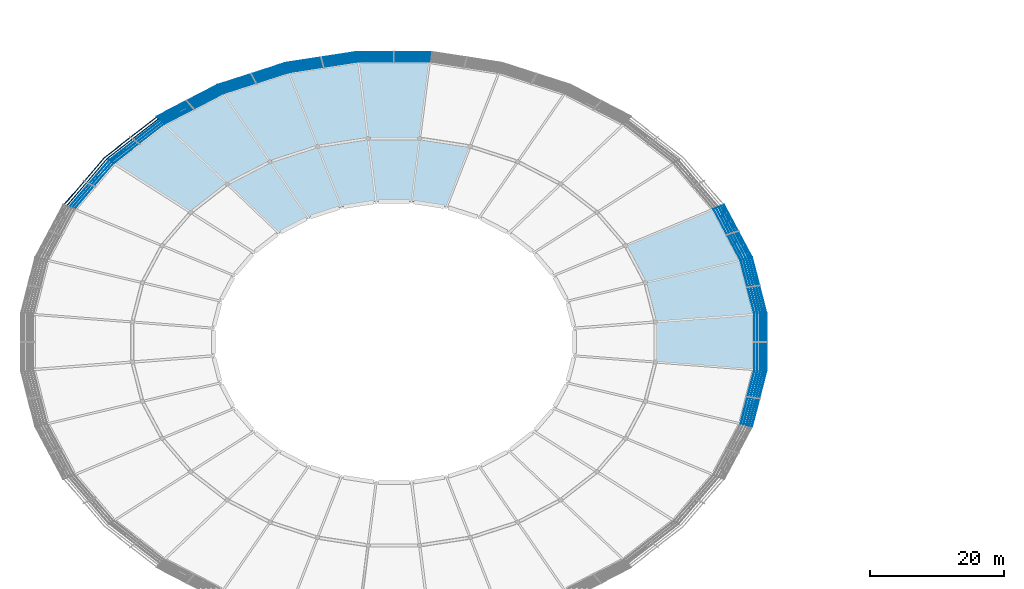
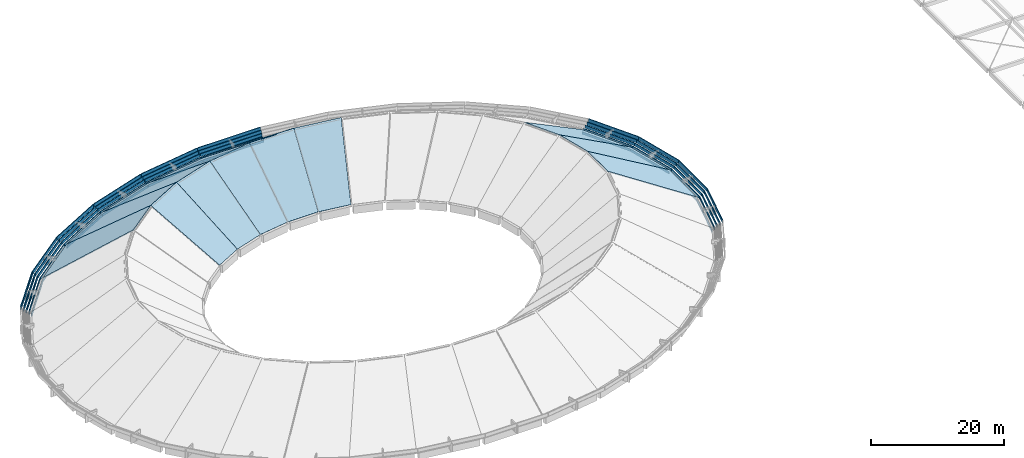
# One storey, part 7 of 15: 50 plates, 13 slabs.
"""IFC4 building model written with IfcOpenShell, lengths in metres."""

from ifc_helpers import new_model, si_unit, direction, frame, origin, origin_2d, place, context, subcontext, project, spatial, polyline, rectangle, outline, extrude, material, layer, layer_set, type_object, element, save


model = new_model("IFC4")

# Units and contexts
model_context = context("Model", 3, precision=1e-05, world=origin(), true_north=direction((0.0, 1.0)))
body_context = subcontext(model_context, "Body", "Model", "MODEL_VIEW")
ifc_project = project(units=[si_unit("LENGTHUNIT", "METRE"), si_unit("AREAUNIT", "SQUARE_METRE"), si_unit("VOLUMEUNIT", "CUBIC_METRE"), si_unit("PLANEANGLEUNIT", "RADIAN"), si_unit("MASSUNIT", "GRAM", prefix="KILO")], contexts=[model_context])

# Site, building, storey
site_placement = place(None, origin())
site = spatial("IfcSite", under=ifc_project, at=site_placement, CompositionType="ELEMENT")
building_placement = place(site_placement, origin())
building = spatial("IfcBuilding", under=site, at=building_placement, Name="Corvandel Quay Wholesale Market", CompositionType="ELEMENT")
storey_placement = place(building_placement, frame((0.0, 0.0, 19.199951171875)))
storey = spatial("IfcBuildingStorey", under=building, at=storey_placement, Name="RF", CompositionType="ELEMENT", Elevation=19.199951171875)

# Plates
ifc_material_1 = material(Name="Architectural white precast concrete C45/55", Category="concrete")
ifc_layer_1 = layer(ifc_material_1, 0.090087890625)
ifc_layer_set_1 = layer_set([ifc_layer_1], Name="Architectural white precast concrete C45/55")
plate_type_1 = type_object("IfcPlateType", Name="Stepped White Precast Shell Fascia Band FP01", PredefinedType="SHEET", material=ifc_layer_set_1)
plate_1_placement = place(storey_placement, frame((166.96240234375, 50.194091796875, -4.8798828125), z_axis=(0.0, 0.0, 1.0), x_axis=(-0.247675453076, 0.968843057437, 0.0)))
element("IfcPlate", 1, at=plate_1_placement, inside=storey, type_object=plate_type_1, Name="Stepped Shell Rim Fascia FP-0001", PredefinedType="SHEET", context=body_context, shape_type="SweptSolid", body=[
    extrude(rectangle(XDim=8.31494140625, YDim=0.090087890625, at=origin_2d()), origin(), (0.0, 0.0, 1.0), 0.4599609375),
])
plate_2_placement = place(storey_placement, frame((163.889404296875, 58.072509765625, -4.8798828125), z_axis=(0.0, 0.0, 1.0), x_axis=(-0.470087862033, 0.882619624736, 0.0)))
element("IfcPlate", 2, at=plate_2_placement, inside=storey, type_object=plate_type_1, Name="Stepped Shell Rim Fascia FP-0002", PredefinedType="SHEET", context=body_context, shape_type="SweptSolid", body=[
    extrude(rectangle(XDim=8.60009765625, YDim=0.090087890625, at=origin_2d()), origin(), (0.0, 0.0, 1.0), 0.4599609375),
])
plate_3_placement = place(storey_placement, frame((114.0, 84.0, -4.8798828125), z_axis=(0.0, 0.0, 1.0), x_axis=(1.0, 0.0, 0.0)))
element("IfcPlate", 3, at=plate_3_placement, inside=storey, type_object=plate_type_1, Name="Stepped Shell Rim Fascia FP-0008", PredefinedType="SHEET", context=body_context, shape_type="SweptSolid", body=[
    extrude(rectangle(XDim=10.577880859375, YDim=0.090087890625, at=origin_2d()), origin(), (0.0, 0.0, 1.0), 0.4599609375),
])
plate_4_placement = place(storey_placement, frame((103.465087890625, 83.193115234375, -4.8798828125), z_axis=(0.0, 0.0, 1.0), x_axis=(0.98825506746, 0.152813355565, 0.0)))
element("IfcPlate", 4, at=plate_4_placement, inside=storey, type_object=plate_type_1, Name="Stepped Shell Rim Fascia FP-0009", PredefinedType="SHEET", context=body_context, shape_type="SweptSolid", body=[
    extrude(rectangle(XDim=10.49609375, YDim=0.090087890625, at=origin_2d()), origin(), (0.0, 0.0, 1.0), 0.4599609375),
])
plate_5_placement = place(storey_placement, frame((93.3349609375, 80.802978515625, -4.8798828125), z_axis=(0.0, 0.0, 1.0), x_axis=(0.951808747363, 0.306692204733, 0.0)))
element("IfcPlate", 5, at=plate_5_placement, inside=storey, type_object=plate_type_1, Name="Stepped Shell Rim Fascia FP-0010", PredefinedType="SHEET", context=body_context, shape_type="SweptSolid", body=[
    extrude(rectangle(XDim=10.264892578125, YDim=0.090087890625, at=origin_2d()), origin(), (0.0, 0.0, 1.0), 0.4599609375),
])
plate_6_placement = place(storey_placement, frame((83.9990234375, 76.922119140625, -4.8798828125), z_axis=(0.0, 0.0, 1.0), x_axis=(0.887332978338, 0.461129250378, 0.0)))
element("IfcPlate", 6, at=plate_6_placement, inside=storey, type_object=plate_type_1, Name="Stepped Shell Rim Fascia FP-0011", PredefinedType="SHEET", context=body_context, shape_type="SweptSolid", body=[
    extrude(rectangle(XDim=9.906982421875, YDim=0.090087890625, at=origin_2d()), origin(), (0.0, 0.0, 1.0), 0.4599609375),
])
plate_7_placement = place(storey_placement, frame((75.81591796875, 71.698486328125, -4.8798828125), z_axis=(0.0, 0.0, 1.0), x_axis=(0.789298462742, 0.614009720373, 0.0)))
element("IfcPlate", 7, at=plate_7_placement, inside=storey, type_object=plate_type_1, Name="Stepped Shell Rim Fascia FP-0012", PredefinedType="SHEET", context=body_context, shape_type="SweptSolid", body=[
    extrude(rectangle(XDim=9.469970703125, YDim=0.090087890625, at=origin_2d()), origin(), (0.0, 0.0, 1.0), 0.4599609375),
])
plate_8_placement = place(storey_placement, frame((69.1005859375, 65.33349609375, -4.8798828125), z_axis=(0.0, 0.0, 1.0), x_axis=(0.651568967347, 0.758589401976, 0.0)))
element("IfcPlate", 8, at=plate_8_placement, inside=storey, type_object=plate_type_1, Name="Stepped Shell Rim Fascia FP-0013", PredefinedType="SHEET", context=body_context, shape_type="SweptSolid", body=[
    extrude(rectangle(XDim=9.008056640625, YDim=0.090087890625, at=origin_2d()), origin(), (0.0, 0.0, 1.0), 0.4599609375),
])
plate_9_placement = place(storey_placement, frame((166.96240234375, 33.805908203125, -4.8798828125), z_axis=(0.0, 0.0, 1.0), x_axis=(0.247675453076, 0.968843057437, 0.0)))
element("IfcPlate", 9, at=plate_9_placement, inside=storey, type_object=plate_type_1, Name="Stepped Shell Rim Fascia FP-0031", PredefinedType="SHEET", context=body_context, shape_type="SweptSolid", body=[
    extrude(rectangle(XDim=8.31494140625, YDim=0.090087890625, at=origin_2d()), origin(), (0.0, 0.0, 1.0), 0.4599609375),
])
plate_10_placement = place(storey_placement, frame((168.0, 42.0, -4.8798828125), z_axis=(0.0, 0.0, 1.0), x_axis=(0.0, 1.0, 0.0)))
element("IfcPlate", 10, at=plate_10_placement, inside=storey, type_object=plate_type_1, Name="Stepped Shell Rim Fascia FP-0032", PredefinedType="SHEET", context=body_context, shape_type="SweptSolid", body=[
    extrude(rectangle(XDim=8.214111328125, YDim=0.090087890625, at=origin_2d()), origin(), (0.0, 0.0, 1.0), 0.4599609375),
])
ifc_layer_2 = layer(ifc_material_1, 0.10009765625)
ifc_layer_set_2 = layer_set([ifc_layer_2], Name="Architectural white precast concrete C45/55")
plate_type_2 = type_object("IfcPlateType", Name="Stepped White Precast Shell Fascia Band FP02", PredefinedType="SHEET", material=ifc_layer_set_2)
plate_11_placement = place(storey_placement, frame((167.385986328125, 50.259521484375, -4.56005859375), z_axis=(0.0, 0.0, 1.0), x_axis=(-0.247844544316, 0.968799815159, 0.0)))
element("IfcPlate", 11, at=plate_11_placement, inside=storey, type_object=plate_type_2, Name="Stepped Shell Rim Fascia FP-0033", PredefinedType="SHEET", context=body_context, shape_type="SweptSolid", body=[
    extrude(rectangle(XDim=8.382080078125, YDim=0.10009765625, at=origin_2d()), origin(), (0.0, 0.0, 1.0), 0.5),
])
plate_12_placement = place(storey_placement, frame((164.28857421875, 58.201416015625, -4.56005859375), z_axis=(0.0, 0.0, 1.0), x_axis=(-0.470087862033, 0.882619624736, 0.0)))
element("IfcPlate", 12, at=plate_12_placement, inside=storey, type_object=plate_type_2, Name="Stepped Shell Rim Fascia FP-0034", PredefinedType="SHEET", context=body_context, shape_type="SweptSolid", body=[
    extrude(rectangle(XDim=8.6689453125, YDim=0.10009765625, at=origin_2d()), origin(), (0.0, 0.0, 1.0), 0.5),
])
plate_13_placement = place(storey_placement, frame((114.0, 84.3359375, -4.56005859375), z_axis=(0.0, 0.0, 1.0), x_axis=(1.0, 0.0, 0.0)))
element("IfcPlate", 13, at=plate_13_placement, inside=storey, type_object=plate_type_2, Name="Stepped Shell Rim Fascia FP-0040", PredefinedType="SHEET", context=body_context, shape_type="SweptSolid", body=[
    extrude(rectangle(XDim=10.662109375, YDim=0.10009765625, at=origin_2d()), origin(), (0.0, 0.0, 1.0), 0.5),
])
plate_14_placement = place(storey_placement, frame((103.381103515625, 83.5224609375, -4.56005859375), z_axis=(0.0, 0.0, 1.0), x_axis=(0.98825506746, 0.152813355565, 0.0)))
element("IfcPlate", 14, at=plate_14_placement, inside=storey, type_object=plate_type_2, Name="Stepped Shell Rim Fascia FP-0041", PredefinedType="SHEET", context=body_context, shape_type="SweptSolid", body=[
    extrude(rectangle(XDim=10.5810546875, YDim=0.10009765625, at=origin_2d()), origin(), (0.0, 0.0, 1.0), 0.5),
])
plate_15_placement = place(storey_placement, frame((93.169921875, 81.113525390625, -4.56005859375), z_axis=(0.0, 0.0, 1.0), x_axis=(0.951808747363, 0.306692204733, 0.0)))
element("IfcPlate", 15, at=plate_15_placement, inside=storey, type_object=plate_type_2, Name="Stepped Shell Rim Fascia FP-0042", PredefinedType="SHEET", context=body_context, shape_type="SweptSolid", body=[
    extrude(rectangle(XDim=10.346923828125, YDim=0.10009765625, at=origin_2d()), origin(), (0.0, 0.0, 1.0), 0.5),
])
plate_16_placement = place(storey_placement, frame((83.759521484375, 77.201416015625, -4.56005859375), z_axis=(0.0, 0.0, 1.0), x_axis=(0.887332978338, 0.461129250378, 0.0)))
element("IfcPlate", 16, at=plate_16_placement, inside=storey, type_object=plate_type_2, Name="Stepped Shell Rim Fascia FP-0043", PredefinedType="SHEET", context=body_context, shape_type="SweptSolid", body=[
    extrude(rectangle(XDim=9.987060546875, YDim=0.10009765625, at=origin_2d()), origin(), (0.0, 0.0, 1.0), 0.5),
])
plate_17_placement = place(storey_placement, frame((75.510986328125, 71.9365234375, -4.56005859375), z_axis=(0.0, 0.0, 1.0), x_axis=(0.789405615633, 0.613871952452, 0.0)))
element("IfcPlate", 17, at=plate_17_placement, inside=storey, type_object=plate_type_2, Name="Stepped Shell Rim Fascia FP-0044", PredefinedType="SHEET", context=body_context, shape_type="SweptSolid", body=[
    extrude(rectangle(XDim=9.544921875, YDim=0.10009765625, at=origin_2d()), origin(), (0.0, 0.0, 1.0), 0.5),
])
plate_18_placement = place(storey_placement, frame((68.741455078125, 65.52099609375, -4.56005859375), z_axis=(0.0, 0.0, 1.0), x_axis=(0.65170135625, 0.758475670184, 0.0)))
element("IfcPlate", 18, at=plate_18_placement, inside=storey, type_object=plate_type_2, Name="Stepped Shell Rim Fascia FP-0045", PredefinedType="SHEET", context=body_context, shape_type="SweptSolid", body=[
    extrude(rectangle(XDim=9.0810546875, YDim=0.10009765625, at=origin_2d()), origin(), (0.0, 0.0, 1.0), 0.5),
])
plate_19_placement = place(storey_placement, frame((167.385986328125, 33.740478515625, -4.56005859375), z_axis=(0.0, 0.0, 1.0), x_axis=(0.247844544316, 0.968799815159, 0.0)))
element("IfcPlate", 19, at=plate_19_placement, inside=storey, type_object=plate_type_2, Name="Stepped Shell Rim Fascia FP-0063", PredefinedType="SHEET", context=body_context, shape_type="SweptSolid", body=[
    extrude(rectangle(XDim=8.382080078125, YDim=0.10009765625, at=origin_2d()), origin(), (0.0, 0.0, 1.0), 0.5),
])
plate_20_placement = place(storey_placement, frame((168.431884765625, 42.0, -4.56005859375), z_axis=(0.0, 0.0, 1.0), x_axis=(0.0, 1.0, 0.0)))
element("IfcPlate", 20, at=plate_20_placement, inside=storey, type_object=plate_type_2, Name="Stepped Shell Rim Fascia FP-0064", PredefinedType="SHEET", context=body_context, shape_type="SweptSolid", body=[
    extrude(rectangle(XDim=8.280029296875, YDim=0.10009765625, at=origin_2d()), origin(), (0.0, 0.0, 1.0), 0.5),
])
ifc_layer_3 = layer(ifc_material_1, 0.110107421875)
ifc_layer_set_3 = layer_set([ifc_layer_3], Name="Architectural white precast concrete C45/55")
plate_type_3 = type_object("IfcPlateType", Name="Stepped White Precast Shell Fascia Band FP03", PredefinedType="SHEET", material=ifc_layer_set_3)
plate_21_placement = place(storey_placement, frame((167.81005859375, 50.324951171875, -4.239990234375), z_axis=(0.0, 0.0, 1.0), x_axis=(-0.247675453076, 0.968843057437, 0.0)))
element("IfcPlate", 21, at=plate_21_placement, inside=storey, type_object=plate_type_3, Name="Stepped Shell Rim Fascia FP-0065", PredefinedType="SHEET", context=body_context, shape_type="SweptSolid", body=[
    extrude(rectangle(XDim=8.448974609375, YDim=0.110107421875, at=origin_2d()), origin(), (0.0, 0.0, 1.0), 0.5400390625),
])
plate_22_placement = place(storey_placement, frame((164.68798828125, 58.330078125, -4.239990234375), z_axis=(0.0, 0.0, 1.0), x_axis=(-0.470087862033, 0.882619624736, 0.0)))
element("IfcPlate", 22, at=plate_22_placement, inside=storey, type_object=plate_type_3, Name="Stepped Shell Rim Fascia FP-0066", PredefinedType="SHEET", context=body_context, shape_type="SweptSolid", body=[
    extrude(rectangle(XDim=8.739013671875, YDim=0.110107421875, at=origin_2d()), origin(), (0.0, 0.0, 1.0), 0.5400390625),
])
plate_23_placement = place(storey_placement, frame((114.0, 84.672119140625, -4.239990234375), z_axis=(0.0, 0.0, 1.0), x_axis=(1.0, 0.0, 0.0)))
element("IfcPlate", 23, at=plate_23_placement, inside=storey, type_object=plate_type_3, Name="Stepped Shell Rim Fascia FP-0072", PredefinedType="SHEET", context=body_context, shape_type="SweptSolid", body=[
    extrude(rectangle(XDim=10.748046875, YDim=0.110107421875, at=origin_2d()), origin(), (0.0, 0.0, 1.0), 0.5400390625),
])
plate_24_placement = place(storey_placement, frame((103.29638671875, 83.85205078125, -4.239990234375), z_axis=(0.0, 0.0, 1.0), x_axis=(0.988228381447, 0.152985836284, 0.0)))
element("IfcPlate", 24, at=plate_24_placement, inside=storey, type_object=plate_type_3, Name="Stepped Shell Rim Fascia FP-0073", PredefinedType="SHEET", context=body_context, shape_type="SweptSolid", body=[
    extrude(rectangle(XDim=10.6650390625, YDim=0.110107421875, at=origin_2d()), origin(), (0.0, 0.0, 1.0), 0.5400390625),
])
plate_25_placement = place(storey_placement, frame((93.00439453125, 81.423583984375, -4.239990234375), z_axis=(0.0, 0.0, 1.0), x_axis=(0.951808747363, 0.306692204733, 0.0)))
element("IfcPlate", 25, at=plate_25_placement, inside=storey, type_object=plate_type_3, Name="Stepped Shell Rim Fascia FP-0074", PredefinedType="SHEET", context=body_context, shape_type="SweptSolid", body=[
    extrude(rectangle(XDim=10.429931640625, YDim=0.110107421875, at=origin_2d()), origin(), (0.0, 0.0, 1.0), 0.5400390625),
])
plate_26_placement = place(storey_placement, frame((83.51904296875, 77.48046875, -4.239990234375), z_axis=(0.0, 0.0, 1.0), x_axis=(0.887332978338, 0.461129250378, 0.0)))
element("IfcPlate", 26, at=plate_26_placement, inside=storey, type_object=plate_type_3, Name="Stepped Shell Rim Fascia FP-0075", PredefinedType="SHEET", context=body_context, shape_type="SweptSolid", body=[
    extrude(rectangle(XDim=10.06689453125, YDim=0.110107421875, at=origin_2d()), origin(), (0.0, 0.0, 1.0), 0.5400390625),
])
plate_27_placement = place(storey_placement, frame((75.205078125, 72.174072265625, -4.239990234375), z_axis=(0.0, 0.0, 1.0), x_axis=(0.789298462742, 0.614009720373, 0.0)))
element("IfcPlate", 27, at=plate_27_placement, inside=storey, type_object=plate_type_3, Name="Stepped Shell Rim Fascia FP-0076", PredefinedType="SHEET", context=body_context, shape_type="SweptSolid", body=[
    extrude(rectangle(XDim=9.62109375, YDim=0.110107421875, at=origin_2d()), origin(), (0.0, 0.0, 1.0), 0.5400390625),
])
plate_28_placement = place(storey_placement, frame((68.382080078125, 65.70751953125, -4.239990234375), z_axis=(0.0, 0.0, 1.0), x_axis=(0.651568967347, 0.758589401976, 0.0)))
element("IfcPlate", 28, at=plate_28_placement, inside=storey, type_object=plate_type_3, Name="Stepped Shell Rim Fascia FP-0077", PredefinedType="SHEET", context=body_context, shape_type="SweptSolid", body=[
    extrude(rectangle(XDim=9.154052734375, YDim=0.110107421875, at=origin_2d()), origin(), (0.0, 0.0, 1.0), 0.5400390625),
])
plate_29_placement = place(storey_placement, frame((167.81005859375, 33.675048828125, -4.239990234375), z_axis=(0.0, 0.0, 1.0), x_axis=(0.247675453076, 0.968843057437, 0.0)))
element("IfcPlate", 29, at=plate_29_placement, inside=storey, type_object=plate_type_3, Name="Stepped Shell Rim Fascia FP-0095", PredefinedType="SHEET", context=body_context, shape_type="SweptSolid", body=[
    extrude(rectangle(XDim=8.448974609375, YDim=0.110107421875, at=origin_2d()), origin(), (0.0, 0.0, 1.0), 0.5400390625),
])
plate_30_placement = place(storey_placement, frame((168.864013671875, 42.0, -4.239990234375), z_axis=(0.0, 0.0, 1.0), x_axis=(0.0, 1.0, 0.0)))
element("IfcPlate", 30, at=plate_30_placement, inside=storey, type_object=plate_type_3, Name="Stepped Shell Rim Fascia FP-0096", PredefinedType="SHEET", context=body_context, shape_type="SweptSolid", body=[
    extrude(rectangle(XDim=8.345947265625, YDim=0.110107421875, at=origin_2d()), origin(), (0.0, 0.0, 1.0), 0.5400390625),
])
ifc_layer_4 = layer(ifc_material_1, 0.1201171875)
ifc_layer_set_4 = layer_set([ifc_layer_4], Name="Architectural white precast concrete C45/55")
plate_type_4 = type_object("IfcPlateType", Name="Stepped White Precast Shell Fascia Band FP04", PredefinedType="SHEET", material=ifc_layer_set_4)
plate_31_placement = place(storey_placement, frame((168.2333984375, 50.390380859375, -3.919921875), z_axis=(0.0, 0.0, 1.0), x_axis=(-0.247844544316, 0.968799815159, 0.0)))
element("IfcPlate", 31, at=plate_31_placement, inside=storey, type_object=plate_type_4, Name="Stepped Shell Rim Fascia FP-0097", PredefinedType="SHEET", context=body_context, shape_type="SweptSolid", body=[
    extrude(rectangle(XDim=8.51611328125, YDim=0.1201171875, at=origin_2d()), origin(), (0.0, 0.0, 1.0), 0.580078125),
])
plate_32_placement = place(storey_placement, frame((165.0869140625, 58.45849609375, -3.919921875), z_axis=(0.0, 0.0, 1.0), x_axis=(-0.470087862033, 0.882619624736, 0.0)))
element("IfcPlate", 32, at=plate_32_placement, inside=storey, type_object=plate_type_4, Name="Stepped Shell Rim Fascia FP-0098", PredefinedType="SHEET", context=body_context, shape_type="SweptSolid", body=[
    extrude(rectangle(XDim=8.80810546875, YDim=0.1201171875, at=origin_2d()), origin(), (0.0, 0.0, 1.0), 0.580078125),
])
plate_33_placement = place(storey_placement, frame((114.0, 85.008056640625, -3.919921875), z_axis=(0.0, 0.0, 1.0), x_axis=(1.0, 0.0, 0.0)))
element("IfcPlate", 33, at=plate_33_placement, inside=storey, type_object=plate_type_4, Name="Stepped Shell Rim Fascia FP-0104", PredefinedType="SHEET", context=body_context, shape_type="SweptSolid", body=[
    extrude(rectangle(XDim=10.83203125, YDim=0.1201171875, at=origin_2d()), origin(), (0.0, 0.0, 1.0), 0.580078125),
])
plate_34_placement = place(storey_placement, frame((103.21240234375, 84.181396484375, -3.919921875), z_axis=(0.0, 0.0, 1.0), x_axis=(0.988228381447, 0.152985836284, 0.0)))
element("IfcPlate", 34, at=plate_34_placement, inside=storey, type_object=plate_type_4, Name="Stepped Shell Rim Fascia FP-0105", PredefinedType="SHEET", context=body_context, shape_type="SweptSolid", body=[
    extrude(rectangle(XDim=10.75, YDim=0.1201171875, at=origin_2d()), origin(), (0.0, 0.0, 1.0), 0.580078125),
])
plate_35_placement = place(storey_placement, frame((92.839599609375, 81.73388671875, -3.919921875), z_axis=(0.0, 0.0, 1.0), x_axis=(0.951808747363, 0.306692204733, 0.0)))
element("IfcPlate", 35, at=plate_35_placement, inside=storey, type_object=plate_type_4, Name="Stepped Shell Rim Fascia FP-0106", PredefinedType="SHEET", context=body_context, shape_type="SweptSolid", body=[
    extrude(rectangle(XDim=10.511962890625, YDim=0.1201171875, at=origin_2d()), origin(), (0.0, 0.0, 1.0), 0.580078125),
])
plate_36_placement = place(storey_placement, frame((83.279541015625, 77.759521484375, -3.919921875), z_axis=(0.0, 0.0, 1.0), x_axis=(0.887332978338, 0.461129250378, 0.0)))
element("IfcPlate", 36, at=plate_36_placement, inside=storey, type_object=plate_type_4, Name="Stepped Shell Rim Fascia FP-0107", PredefinedType="SHEET", context=body_context, shape_type="SweptSolid", body=[
    extrude(rectangle(XDim=10.14697265625, YDim=0.1201171875, at=origin_2d()), origin(), (0.0, 0.0, 1.0), 0.580078125),
])
plate_37_placement = place(storey_placement, frame((74.89990234375, 72.410888671875, -3.919921875), z_axis=(0.0, 0.0, 1.0), x_axis=(0.789405615633, 0.613871952452, 0.0)))
element("IfcPlate", 37, at=plate_37_placement, inside=storey, type_object=plate_type_4, Name="Stepped Shell Rim Fascia FP-0108", PredefinedType="SHEET", context=body_context, shape_type="SweptSolid", body=[
    extrude(rectangle(XDim=9.697021484375, YDim=0.1201171875, at=origin_2d()), origin(), (0.0, 0.0, 1.0), 0.580078125),
])
plate_38_placement = place(storey_placement, frame((68.02294921875, 65.89404296875, -3.919921875), z_axis=(0.0, 0.0, 1.0), x_axis=(0.65170135625, 0.758475670184, 0.0)))
element("IfcPlate", 38, at=plate_38_placement, inside=storey, type_object=plate_type_4, Name="Stepped Shell Rim Fascia FP-0109", PredefinedType="SHEET", context=body_context, shape_type="SweptSolid", body=[
    extrude(rectangle(XDim=9.22705078125, YDim=0.1201171875, at=origin_2d()), origin(), (0.0, 0.0, 1.0), 0.580078125),
])
plate_39_placement = place(storey_placement, frame((168.2333984375, 33.609619140625, -3.919921875), z_axis=(0.0, 0.0, 1.0), x_axis=(0.247844544316, 0.968799815159, 0.0)))
element("IfcPlate", 39, at=plate_39_placement, inside=storey, type_object=plate_type_4, Name="Stepped Shell Rim Fascia FP-0127", PredefinedType="SHEET", context=body_context, shape_type="SweptSolid", body=[
    extrude(rectangle(XDim=8.51611328125, YDim=0.1201171875, at=origin_2d()), origin(), (0.0, 0.0, 1.0), 0.580078125),
])
plate_40_placement = place(storey_placement, frame((169.2958984375, 42.0, -3.919921875), z_axis=(0.0, 0.0, 1.0), x_axis=(0.0, 1.0, 0.0)))
element("IfcPlate", 40, at=plate_40_placement, inside=storey, type_object=plate_type_4, Name="Stepped Shell Rim Fascia FP-0128", PredefinedType="SHEET", context=body_context, shape_type="SweptSolid", body=[
    extrude(rectangle(XDim=8.412109375, YDim=0.1201171875, at=origin_2d()), origin(), (0.0, 0.0, 1.0), 0.580078125),
])
ifc_layer_5 = layer(ifc_material_1, 0.1298828125)
ifc_layer_set_5 = layer_set([ifc_layer_5], Name="Architectural white precast concrete C45/55")
plate_type_5 = type_object("IfcPlateType", Name="Stepped White Precast Shell Fascia Band FP05", PredefinedType="SHEET", material=ifc_layer_set_5)
plate_41_placement = place(storey_placement, frame((168.656982421875, 50.4560546875, -3.60009765625), z_axis=(0.0, 0.0, 1.0), x_axis=(-0.247844544316, 0.968799815159, 0.0)))
element("IfcPlate", 41, at=plate_41_placement, inside=storey, type_object=plate_type_5, Name="Stepped Shell Rim Fascia FP-0129", PredefinedType="SHEET", context=body_context, shape_type="SweptSolid", body=[
    extrude(rectangle(XDim=8.583984375, YDim=0.1298828125, at=origin_2d()), origin(), (0.0, 0.0, 1.0), 0.6201171875),
])
plate_42_placement = place(storey_placement, frame((165.486083984375, 58.5869140625, -3.60009765625), z_axis=(0.0, 0.0, 1.0), x_axis=(-0.469933808689, 0.882701657102, 0.0)))
element("IfcPlate", 42, at=plate_42_placement, inside=storey, type_object=plate_type_5, Name="Stepped Shell Rim Fascia FP-0130", PredefinedType="SHEET", context=body_context, shape_type="SweptSolid", body=[
    extrude(rectangle(XDim=8.8759765625, YDim=0.1298828125, at=origin_2d()), origin(), (0.0, 0.0, 1.0), 0.6201171875),
])
plate_43_placement = place(storey_placement, frame((114.0, 85.343994140625, -3.60009765625), z_axis=(0.0, 0.0, 1.0), x_axis=(1.0, 0.0, 0.0)))
element("IfcPlate", 43, at=plate_43_placement, inside=storey, type_object=plate_type_5, Name="Stepped Shell Rim Fascia FP-0136", PredefinedType="SHEET", context=body_context, shape_type="SweptSolid", body=[
    extrude(rectangle(XDim=10.91796875, YDim=0.1298828125, at=origin_2d()), origin(), (0.0, 0.0, 1.0), 0.6201171875),
])
plate_44_placement = place(storey_placement, frame((103.1279296875, 84.510986328125, -3.60009765625), z_axis=(0.0, 0.0, 1.0), x_axis=(0.988228381447, 0.152985836284, 0.0)))
element("IfcPlate", 44, at=plate_44_placement, inside=storey, type_object=plate_type_5, Name="Stepped Shell Rim Fascia FP-0137", PredefinedType="SHEET", context=body_context, shape_type="SweptSolid", body=[
    extrude(rectangle(XDim=10.833984375, YDim=0.1298828125, at=origin_2d()), origin(), (0.0, 0.0, 1.0), 0.6201171875),
])
plate_45_placement = place(storey_placement, frame((92.674072265625, 82.04443359375, -3.60009765625), z_axis=(0.0, 0.0, 1.0), x_axis=(0.951808747363, 0.306692204733, 0.0)))
element("IfcPlate", 45, at=plate_45_placement, inside=storey, type_object=plate_type_5, Name="Stepped Shell Rim Fascia FP-0138", PredefinedType="SHEET", context=body_context, shape_type="SweptSolid", body=[
    extrude(rectangle(XDim=10.594970703125, YDim=0.1298828125, at=origin_2d()), origin(), (0.0, 0.0, 1.0), 0.6201171875),
])
plate_46_placement = place(storey_placement, frame((83.0390625, 78.0390625, -3.60009765625), z_axis=(0.0, 0.0, 1.0), x_axis=(0.887332978338, 0.461129250378, 0.0)))
element("IfcPlate", 46, at=plate_46_placement, inside=storey, type_object=plate_type_5, Name="Stepped Shell Rim Fascia FP-0139", PredefinedType="SHEET", context=body_context, shape_type="SweptSolid", body=[
    extrude(rectangle(XDim=10.22705078125, YDim=0.1298828125, at=origin_2d()), origin(), (0.0, 0.0, 1.0), 0.6201171875),
])
plate_47_placement = place(storey_placement, frame((74.593994140625, 72.6484375, -3.60009765625), z_axis=(0.0, 0.0, 1.0), x_axis=(0.789405615633, 0.613871952452, 0.0)))
element("IfcPlate", 47, at=plate_47_placement, inside=storey, type_object=plate_type_5, Name="Stepped Shell Rim Fascia FP-0140", PredefinedType="SHEET", context=body_context, shape_type="SweptSolid", body=[
    extrude(rectangle(XDim=9.77294921875, YDim=0.1298828125, at=origin_2d()), origin(), (0.0, 0.0, 1.0), 0.6201171875),
])
plate_48_placement = place(storey_placement, frame((67.66357421875, 66.08056640625, -3.60009765625), z_axis=(0.0, 0.0, 1.0), x_axis=(0.65170135625, 0.758475670184, 0.0)))
element("IfcPlate", 48, at=plate_48_placement, inside=storey, type_object=plate_type_5, Name="Stepped Shell Rim Fascia FP-0141", PredefinedType="SHEET", context=body_context, shape_type="SweptSolid", body=[
    extrude(rectangle(XDim=9.299072265625, YDim=0.1298828125, at=origin_2d()), origin(), (0.0, 0.0, 1.0), 0.6201171875),
])
plate_49_placement = place(storey_placement, frame((168.656982421875, 33.5439453125, -3.60009765625), z_axis=(0.0, 0.0, 1.0), x_axis=(0.247844544316, 0.968799815159, 0.0)))
element("IfcPlate", 49, at=plate_49_placement, inside=storey, type_object=plate_type_5, Name="Stepped Shell Rim Fascia FP-0159", PredefinedType="SHEET", context=body_context, shape_type="SweptSolid", body=[
    extrude(rectangle(XDim=8.583984375, YDim=0.1298828125, at=origin_2d()), origin(), (0.0, 0.0, 1.0), 0.6201171875),
])
plate_50_placement = place(storey_placement, frame((169.72802734375, 42.0, -3.60009765625), z_axis=(0.0, 0.0, 1.0), x_axis=(0.0, 1.0, 0.0)))
element("IfcPlate", 50, at=plate_50_placement, inside=storey, type_object=plate_type_5, Name="Stepped Shell Rim Fascia FP-0160", PredefinedType="SHEET", context=body_context, shape_type="SweptSolid", body=[
    extrude(rectangle(XDim=8.47802734375, YDim=0.1298828125, at=origin_2d()), origin(), (0.0, 0.0, 1.0), 0.6201171875),
])

# Slabs
ifc_material_2 = material(Name="Concrete C40/50", Category="concrete")
ifc_layer_6 = layer(ifc_material_2, 0.139892578125)
ifc_layer_set_6 = layer_set([ifc_layer_6], Name="Concrete C40/50")
slab_type = type_object("IfcSlabType", Name="Thin Concrete Radial Shell Roof 140", PredefinedType="ROOF", material=ifc_layer_set_6)
slab_1_placement = place(storey_placement, frame((168.0, 46.136962890625, -4.06005859375), z_axis=(0.517150920127, 0.132264423739, 0.845612823948), x_axis=(-0.247759982389, 0.968821444306, -1.3371574e-05)))
element("IfcSlab", 51, at=slab_1_placement, inside=storey, type_object=slab_type, Name="Radial Shell Roof SLB-0143", PredefinedType="ROOF", context=body_context, shape_type="SweptSolid", body=[
    extrude(outline(polyline([(0.0, 0.0), (8.37512031050903, 2.220446049250313e-16), (8.649157139003165, 17.347662231568922), (2.5766759683743987, 17.34730032008074), (0.0, 0.0)])), origin(), (0.0, 0.0, -1.0), 0.139892578125),
])
slab_2_placement = place(storey_placement, frame((165.925048828125, 54.2509765625, -4.06005859375), z_axis=(0.482418018406, 0.256940614151, 0.837409324236), x_axis=(-0.470108211626, 0.882608786043, 1.2691939e-05)))
element("IfcSlab", 52, at=slab_2_placement, inside=storey, type_object=slab_type, Name="Radial Shell Roof SLB-0145", PredefinedType="ROOF", context=body_context, shape_type="SweptSolid", body=[
    extrude(outline(polyline([(0.0, 0.0), (8.659669210139933, -4.440892098500626e-16), (10.017663359891595, 16.941611004895876), (3.7398589258191355, 16.941957864994762), (0.0, 0.0)])), origin(), (0.0, 0.0, -1.0), 0.139892578125),
])
slab_3_placement = place(storey_placement, frame((125.419921875, 71.280029296875, 5.199951171875), z_axis=(-0.106564199242, -0.688988809995, 0.716895034954), x_axis=(-0.98824916178, 0.152851543136, 1.425919e-06)))
element("IfcSlab", 53, at=slab_3_placement, inside=storey, type_object=slab_type, Name="Radial Shell Roof SLB-0156", PredefinedType="ROOF", context=body_context, shape_type="SweptSolid", body=[
    extrude(outline(polyline([(0.0, 0.0), (7.653906280511784, -2.220446049250313e-16), (7.392408935881779, 13.282087094386451), (2.113338943659682, 13.282060643051627), (0.0, 0.0)])), origin(), (0.0, 0.0, -1.0), 0.139892578125),
])
slab_4_placement = place(storey_placement, frame((119.319091796875, 84.0, -4.06005859375), z_axis=(0.0, 0.625517279486, 0.780210313354), x_axis=(-1.0, 0.0, 0.0)))
element("IfcSlab", 54, at=slab_4_placement, inside=storey, type_object=slab_type, Name="Radial Shell Roof SLB-0157", PredefinedType="ROOF", context=body_context, shape_type="SweptSolid", body=[
    extrude(outline(polyline([(0.0, 0.0), (10.63818359375, 0.0), (9.175048828125, 14.803763332056551), (1.463134765625, 14.803763332056551), (0.0, 0.0)])), origin(), (0.0, 0.0, -1.0), 0.139892578125),
])
slab_5_placement = place(storey_placement, frame((117.85595703125, 72.449951171875, 5.199951171875), z_axis=(0.0, -0.699892248358, 0.714248444652), x_axis=(-1.0, 0.0, 0.0)))
element("IfcSlab", 55, at=slab_5_placement, inside=storey, type_object=slab_type, Name="Radial Shell Roof SLB-0158", PredefinedType="ROOF", context=body_context, shape_type="SweptSolid", body=[
    extrude(outline(polyline([(0.0, 0.0), (7.7119140625, 0.0), (6.514892578125, 13.230621981233234), (1.197021484375, 13.230621981233234), (0.0, 0.0)])), origin(), (0.0, 0.0, -1.0), 0.139892578125),
])
slab_6_placement = place(storey_placement, frame((108.680908203125, 84.0, -4.06005859375), z_axis=(-0.095188609555, 0.615315934304, 0.782512255241), x_axis=(-0.9882428482, -0.15289235719, 9.76469e-06)))
element("IfcSlab", 56, at=slab_6_placement, inside=storey, type_object=slab_type, Name="Radial Shell Roof SLB-0159", PredefinedType="ROOF", context=body_context, shape_type="SweptSolid", body=[
    extrude(outline(polyline([(0.0, 0.0), (10.556005867700481, 2.220446049250313e-16), (7.973978418097307, 14.872162969040577), (0.3200721440317339, 14.872448552245396), (0.0, 0.0)])), origin(), (0.0, 0.0, -1.0), 0.139892578125),
])
slab_7_placement = place(storey_placement, frame((110.14404296875, 72.449951171875, 5.199951171875), z_axis=(0.106564199242, -0.688988809995, 0.716895034954), x_axis=(-0.98824916178, -0.152851543136, -1.425919e-06)))
element("IfcSlab", 57, at=slab_7_placement, inside=storey, type_object=slab_type, Name="Radial Shell Roof SLB-0160", PredefinedType="ROOF", context=body_context, shape_type="SweptSolid", body=[
    extrude(outline(polyline([(0.0, 0.0), (7.653906280511784, 2.220446049250313e-16), (5.540567336852101, 13.28206064305163), (0.26149734463000424, 13.282087094386451), (0.0, 0.0)])), origin(), (0.0, 0.0, -1.0), 0.139892578125),
])
slab_8_placement = place(storey_placement, frame((98.2490234375, 82.385986328125, -4.06005859375), z_axis=(-0.188344739419, 0.584539638237, 0.789201919957), x_axis=(-0.951824003808, -0.306644851211, -3.1644089e-05)))
element("IfcSlab", 58, at=slab_8_placement, inside=storey, type_object=slab_type, Name="Radial Shell Roof SLB-0161", PredefinedType="ROOF", context=body_context, shape_type="SweptSolid", body=[
    extrude(outline(polyline([(0.0, 0.0), (10.325487677681938, 4.440892098500626e-16), (6.7678065141877735, 15.078512002982059), (-0.7171102965414349, 15.07759429739188), (0.0, 0.0)])), origin(), (0.0, 0.0, -1.0), 0.139892578125),
])
slab_9_placement = place(storey_placement, frame((102.580078125, 71.280029296875, 5.199951171875), z_axis=(0.211395004815, -0.655964460784, 0.724584555541), x_axis=(-0.951789696965, -0.306751320058, -1.9841279e-05)))
element("IfcSlab", 59, at=slab_9_placement, inside=storey, type_object=slab_type, Name="Radial Shell Roof SLB-0162", PredefinedType="ROOF", context=body_context, shape_type="SweptSolid", body=[
    extrude(outline(polyline([(0.0, 0.0), (7.484916875631923, 4.440892098500626e-16), (4.576330291082404, 13.436024739334957), (-0.5854840206809269, 13.436388831685411), (0.0, 0.0)])), origin(), (0.0, 0.0, -1.0), 0.139892578125),
])
slab_10_placement = place(storey_placement, frame((88.4208984375, 79.219970703125, -4.06005859375), z_axis=(-0.276939473151, 0.532975440245, 0.799525927226), x_axis=(-0.887344754904, -0.461106587953, 2.2135352e-05)))
element("IfcSlab", 60, at=slab_10_placement, inside=storey, type_object=slab_type, Name="Radial Shell Roof SLB-0163", PredefinedType="ROOF", context=body_context, shape_type="SweptSolid", body=[
    extrude(outline(polyline([(0.0, 0.0), (9.966893375153198, -4.440892098500626e-16), (5.7044488904239055, 15.41691088403648), (-1.5224782647576496, 15.417544535812464), (0.0, 0.0)])), origin(), (0.0, 0.0, -1.0), 0.139892578125),
])
slab_11_placement = place(storey_placement, frame((95.4560546875, 68.98388671875, 5.199951171875), z_axis=(0.311852115671, -0.600173325822, 0.73657330723), x_axis=(-0.887375367341, -0.461047672801, 2.9013476e-05)))
element("IfcSlab", 61, at=slab_11_placement, inside=storey, type_object=slab_type, Name="Radial Shell Roof SLB-0164", PredefinedType="ROOF", context=body_context, shape_type="SweptSolid", body=[
    extrude(outline(polyline([(0.0, 0.0), (7.226927182622102, 0.0), (3.7370961708155592, 13.691154769169657), (-1.2462984574437515, 13.690630987350017), (0.0, 0.0)])), origin(), (0.0, 0.0, -1.0), 0.139892578125),
])
slab_12_placement = place(storey_placement, frame((79.576904296875, 74.6240234375, -4.06005859375), z_axis=(-0.358150608725, 0.46044593596, 0.81223006687), x_axis=(-0.789323027077, -0.613978141995, 8.886178e-06)))
element("IfcSlab", 62, at=slab_12_placement, inside=storey, type_object=slab_type, Name="Radial Shell Roof SLB-0165", PredefinedType="ROOF", context=body_context, shape_type="SweptSolid", body=[
    extrude(outline(polyline([(0.0, 0.0), (9.529697904121809, 8.881784197001252e-16), (4.94495999699392, 15.874121215970113), (-1.9631352404312545, 15.87437161857978), (0.0, 0.0)])), origin(), (0.0, 0.0, -1.0), 0.139892578125),
])
slab_13_placement = place(storey_placement, frame((168.0, 37.863037109375, -4.06005859375), z_axis=(0.529123389849, 0.0, 0.848544894696), x_axis=(0.0, 1.0, 0.0)))
element("IfcSlab", 63, at=slab_13_placement, inside=storey, type_object=slab_type, Name="Radial Shell Roof SLB-0205", PredefinedType="ROOF", context=body_context, shape_type="SweptSolid", body=[
    extrude(outline(polyline([(0.0, 0.0), (8.27392578125, 0.0), (7.135986328125, 17.500662309170817), (1.137939453125, 17.500662309170817), (0.0, 0.0)])), origin(), (0.0, 0.0, -1.0), 0.139892578125),
])

save(model, "model.ifc")
